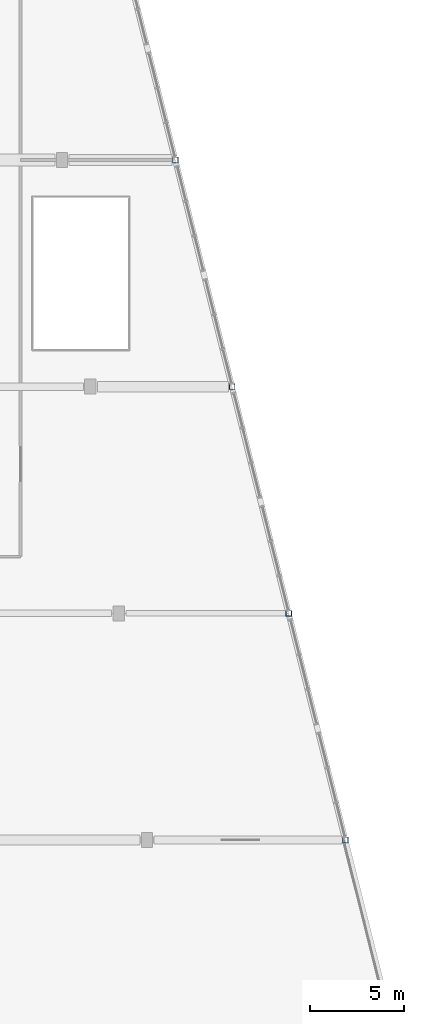
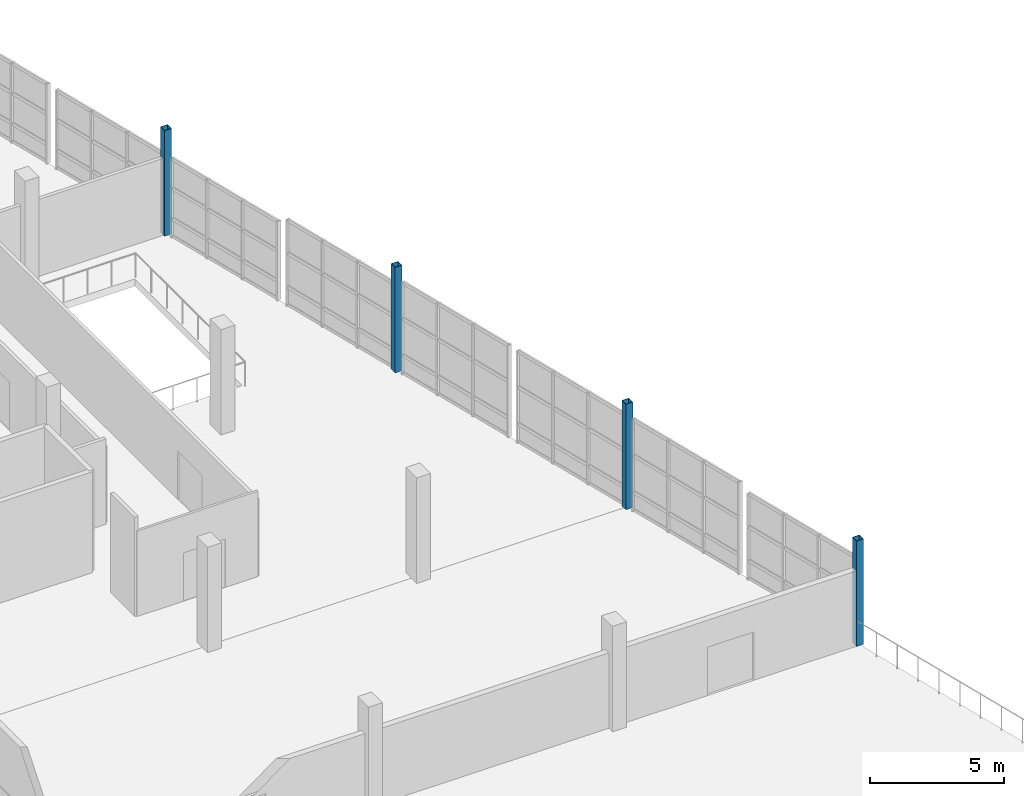
# One storey, part 2 of 49: 4 columns.
"""IFC4 building model written with IfcOpenShell, lengths in metres."""

from ifc_helpers import new_model, si_unit, direction, frame, origin, origin_2d, place, context, subcontext, project, spatial, hollow_rectangle, extrude, material, material_profile, profile_set, type_object, element, save


model = new_model("IFC4")

# Units and contexts
model_context = context("Model", 3, precision=1e-05, world=origin(), true_north=direction((0.0, 1.0)))
body_context = subcontext(model_context, "Body", "Model", "MODEL_VIEW")
ifc_project = project(units=[si_unit("LENGTHUNIT", "METRE"), si_unit("AREAUNIT", "SQUARE_METRE"), si_unit("VOLUMEUNIT", "CUBIC_METRE"), si_unit("PLANEANGLEUNIT", "RADIAN"), si_unit("MASSUNIT", "GRAM", prefix="KILO")], contexts=[model_context])

# Site, building, storey
site_placement = place(None, origin())
site = spatial("IfcSite", under=ifc_project, at=site_placement, CompositionType="ELEMENT")
building_placement = place(site_placement, origin())
building = spatial("IfcBuilding", under=site, at=building_placement, Name="Kamomehara Wholesale Market", CompositionType="ELEMENT")
storey_placement = place(building_placement, frame((0.0, 0.0, 11.39990234375)))
storey = spatial("IfcBuildingStorey", under=building, at=storey_placement, Name="L02", CompositionType="ELEMENT", Elevation=11.39990234375)

# Columns
ifc_material_1 = material(Name="Steel SN490B", Category="steel")
ifc_material_profile_1 = material_profile(ifc_material_1, hollow_rectangle(XDim=0.300048828125, YDim=0.300048828125, WallThickness=0.01611328125, at=origin_2d()), Name="RHS-300x300x16")
ifc_profile_set_1 = profile_set([ifc_material_profile_1], Name="Steel SN490B")
column_type_1 = type_object("IfcColumnType", Name="COL-ST-RHS300", PredefinedType="COLUMN", material=ifc_profile_set_1)
column_placement = place(storey_placement, frame((192.0, 72.0, 0.0), z_axis=(0.0, 0.0, 1.0), x_axis=(1.0, 0.0, 0.0)))
element("IfcColumn", 1, at=column_placement, inside=storey, type_object=column_type_1, Name="Column CS-06 L02", PredefinedType="COLUMN", context=body_context, shape_type="SweptSolid", body=[
    extrude(hollow_rectangle(XDim=0.300048828125, YDim=0.300048828125, WallThickness=0.01611328125, at=origin_2d()), origin(), (0.0, 0.0, 1.0), 4.800048828125),
])
ifc_material_2 = material(Name="Steel SN490B", Category="steel")
ifc_material_profile_2 = material_profile(ifc_material_2, hollow_rectangle(XDim=0.300048828125, YDim=0.300048828125, WallThickness=0.01611328125, at=origin_2d()), Name="RHS-300x300x16")
ifc_profile_set_2 = profile_set([ifc_material_profile_2], Name="Steel SN490B")
column_type_2 = type_object("IfcColumnType", Name="COL-ST-RHS300-EXT", PredefinedType="COLUMN", material=ifc_profile_set_2)
for number, where, z_axis, x_axis, name in (
    (2, (195.0, 60.0, 0.0), (0.0, 0.0, 1.0), (1.0, 0.0, 0.0), "Column CS-06E L02"),
    (3, (198.0, 48.0, 0.0), (0.0, 0.0, 1.0), (1.0, 0.0, 0.0), "Column CS-06E L02"),
    (4, (201.0, 36.0, 0.0), (0.0, 0.0, 1.0), (1.0, 0.0, 0.0), "Column CS-06E L02"),
):
    element("IfcColumn", number, at=place(storey_placement, frame(where, z_axis=z_axis, x_axis=x_axis)), inside=storey, type_object=column_type_2, Name=name, PredefinedType="COLUMN", context=body_context, shape_type="SweptSolid", body=[
        extrude(hollow_rectangle(XDim=0.300048828125, YDim=0.300048828125, WallThickness=0.01611328125, at=origin_2d()), origin(), (0.0, 0.0, 1.0), 4.800048828125),
    ])

save(model, "model.ifc")
